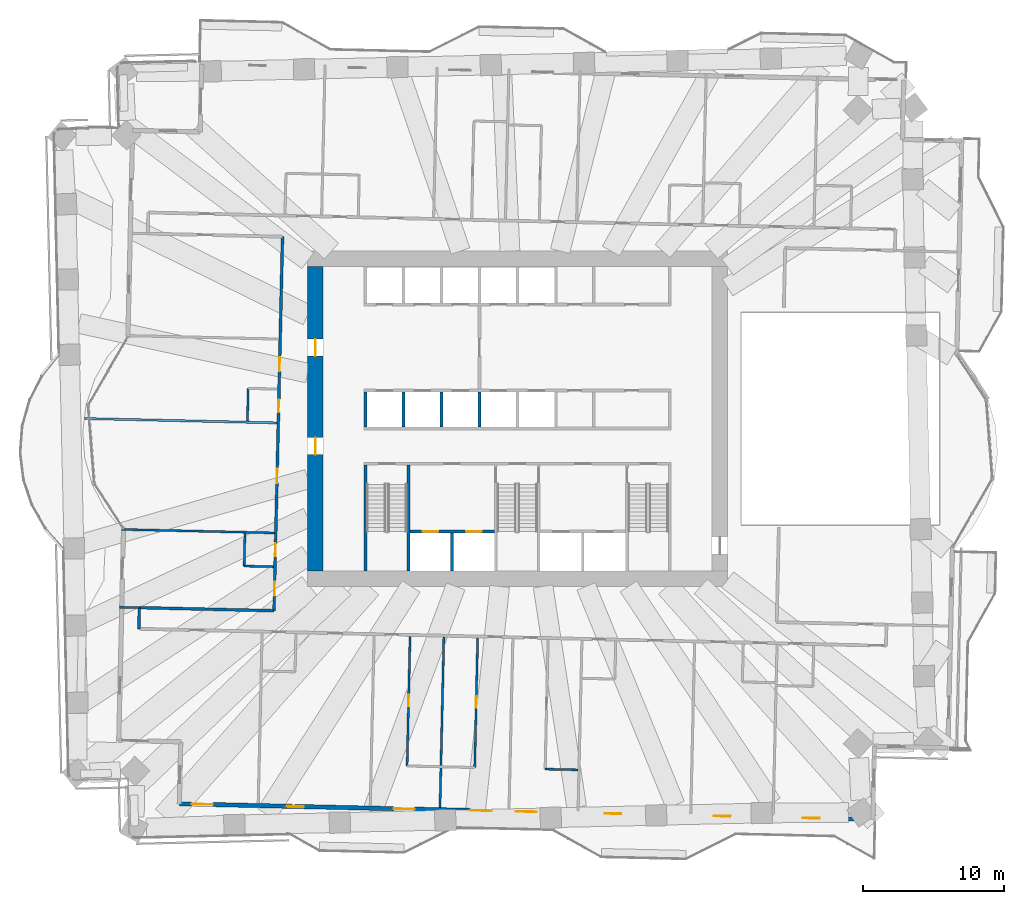
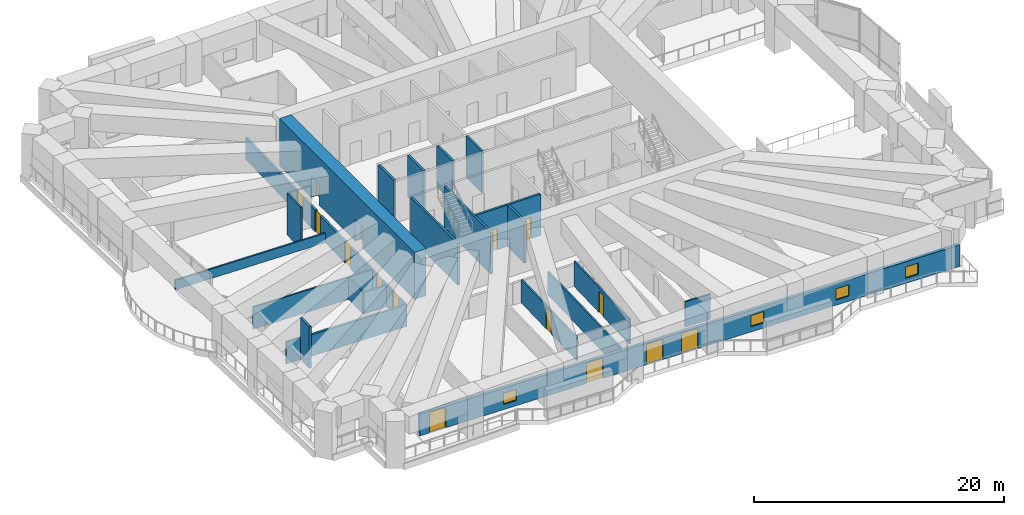
# One storey, part 9 of 20: 23 walls, 15 doors, 4 windows, 19 openings.
"""IFC4 building model written with IfcOpenShell, lengths in metres."""

from ifc_helpers import new_model, si_unit, direction, frame, frame_2d, origin, place, context, subcontext, project, spatial, rectangle, extrude, material, layer, layer_set, type_object, element, fill, save


model = new_model("IFC4")

# Units and contexts
model_context = context("Model", 3, precision=1e-05, world=origin(), true_north=direction((0.0, 1.0)))
body_context = subcontext(model_context, "Body", "Model", "MODEL_VIEW")
ifc_project = project(units=[si_unit("LENGTHUNIT", "METRE"), si_unit("AREAUNIT", "SQUARE_METRE"), si_unit("VOLUMEUNIT", "CUBIC_METRE"), si_unit("PLANEANGLEUNIT", "RADIAN"), si_unit("MASSUNIT", "GRAM", prefix="KILO")], contexts=[model_context])

# Site, building, storey
site_placement = place(None, origin())
site = spatial("IfcSite", under=ifc_project, at=site_placement, CompositionType="ELEMENT")
building_placement = place(site_placement, origin())
building = spatial("IfcBuilding", under=site, at=building_placement, Name="Mangrove Gate Tower", CompositionType="ELEMENT")
storey_placement = place(building_placement, frame((0.0, 0.0, 52.10009765625)))
storey = spatial("IfcBuildingStorey", under=building, at=storey_placement, Name="L12", CompositionType="ELEMENT", Elevation=52.10009765625)

# Wall, openings, doors
ifc_material_1 = material(Name="Concrete C70/85", Category="concrete")
ifc_layer_1 = layer(ifc_material_1, 0.199951171875)
ifc_layer_set_1 = layer_set([ifc_layer_1], Name="Core shaft wall 200 C70/85")
wall_type_1 = type_object("IfcWallType", Name="Core shaft wall 200 C70/85", PredefinedType="SHEAR", material=ifc_layer_set_1)
wall_1_placement = place(storey_placement, frame((-7.64990234375, -8.0, 0.0), z_axis=(0.0, 0.0, 1.0), x_axis=(1.0, 0.0, 0.0)))
wall_1 = element("IfcWall", 1, at=wall_1_placement, inside=storey, type_object=wall_type_1, Name="WALL-L12-CORE-15", PredefinedType="SHEAR", context=body_context, shape_type="SweptSolid", body=[
    extrude(rectangle(XDim=6.0, YDim=0.199951171875, at=frame_2d((3.0, 0.0))), origin(), (0.0, 0.0, 1.0), 4.0498046875),
])
opening_1_placement = place(wall_1_placement, frame((0.89990234375, 0.0, 0.0)))
opening_1 = element("IfcOpeningElement", 2, at=opening_1_placement, cuts=wall_1, Name="Opening LD", PredefinedType="OPENING", context=body_context, shape_type="SweptSolid", body=[
    extrude(rectangle(XDim=1.10009765625, YDim=2.10009765625, at=frame_2d((0.550048828125, 1.050048828125))), frame((0.0, 0.10986328125, 0.0), z_axis=(0.0, -1.0, 0.0), x_axis=(1.0, 0.0, 0.0)), (0.0, 0.0, 1.0), 0.219970703125),
])
opening_2_placement = place(wall_1_placement, frame((4.0, 0.0, 0.0)))
opening_2 = element("IfcOpeningElement", 3, at=opening_2_placement, cuts=wall_1, Name="Opening LD", PredefinedType="OPENING", context=body_context, shape_type="SweptSolid", body=[
    extrude(rectangle(XDim=1.10009765625, YDim=2.10009765625, at=frame_2d((0.550048828125, 1.050048828125))), frame((0.0, 0.10986328125, 0.0), z_axis=(0.0, -1.0, 0.0), x_axis=(1.0, 0.0, 0.0)), (0.0, 0.0, 1.0), 0.219970703125),
])
ifc_material_2 = material(Name="Stainless steel 316", Category="steel")
door_type_1 = type_object("IfcDoorType", Name="Lift landing door 1100x2100", OperationType="SLIDING_TO_LEFT", PredefinedType="DOOR", material=ifc_material_2)
door_1_placement = place(opening_1_placement, origin())
door_1 = element("IfcDoor", 4, at=door_1_placement, inside=storey, type_object=door_type_1, Name="Landing door LD SVL1", OperationType="SLIDING_TO_LEFT", OverallHeight=2.10009765625, OverallWidth=1.10009765625, PredefinedType="DOOR", context=body_context, shape_type="SweptSolid", body=[
    extrude(rectangle(XDim=1.10009765625, YDim=2.10009765625, at=frame_2d((0.550048828125, 1.050048828125))), frame((0.0, 0.02490234375, 0.0), z_axis=(0.0, -1.0, 0.0), x_axis=(1.0, 0.0, 0.0)), (0.0, 0.0, 1.0), 0.050048828125),
])
fill(opening_1, door_1)
door_2_placement = place(opening_2_placement, origin())
door_2 = element("IfcDoor", 5, at=door_2_placement, inside=storey, type_object=door_type_1, Name="Landing door LD SVL2", OperationType="SLIDING_TO_LEFT", OverallHeight=2.10009765625, OverallWidth=1.10009765625, PredefinedType="DOOR", context=body_context, shape_type="SweptSolid", body=[
    extrude(rectangle(XDim=1.10009765625, YDim=2.10009765625, at=frame_2d((0.550048828125, 1.050048828125))), frame((0.0, 0.02490234375, 0.0), z_axis=(0.0, -1.0, 0.0), x_axis=(1.0, 0.0, 0.0)), (0.0, 0.0, 1.0), 0.050048828125),
])
fill(opening_2, door_2)

# Walls
wall_2_placement = place(storey_placement, frame((-4.64990234375, -10.800048828125, 0.0), z_axis=(0.0, 0.0, 1.0), x_axis=(0.0, 1.0, 0.0)))
element("IfcWall", 6, at=wall_2_placement, inside=storey, type_object=wall_type_1, Name="WALL-L12-CORE-16", PredefinedType="SHEAR", context=body_context, shape_type="SweptSolid", body=[
    extrude(rectangle(XDim=2.699951171875, YDim=0.199951171875, at=frame_2d((1.35009765625, 0.0))), origin(), (0.0, 0.0, 1.0), 4.0498046875),
])
for number, where, z_axis, x_axis, name in (
    (7, (-10.800048828125, -0.60009765625, 0.0), (0.0, 0.0, 1.0), (0.0, 1.0, 0.0), "WALL-L12-CORE-19"),
    (8, (-8.10009765625, -0.60009765625, 0.0), (0.0, 0.0, 1.0), (0.0, 1.0, 0.0), "WALL-L12-CORE-20"),
    (9, (-5.39990234375, -0.60009765625, 0.0), (0.0, 0.0, 1.0), (0.0, 1.0, 0.0), "WALL-L12-CORE-21"),
    (10, (-2.699951171875, -0.60009765625, 0.0), (0.0, 0.0, 1.0), (0.0, 1.0, 0.0), "WALL-L12-CORE-22"),
):
    element("IfcWall", number, at=place(storey_placement, frame(where, z_axis=z_axis, x_axis=x_axis)), inside=storey, type_object=wall_type_1, Name=name, PredefinedType="SHEAR", context=body_context, shape_type="SweptSolid", body=[
        extrude(rectangle(XDim=2.5, YDim=0.199951171875, at=frame_2d((1.25, 0.0))), origin(), (0.0, 0.0, 1.0), 4.0498046875),
    ])
ifc_material_3 = material(Name="Concrete C70/85", Category="concrete")
ifc_layer_2 = layer(ifc_material_3, 0.199951171875)
ifc_layer_set_2 = layer_set([ifc_layer_2], Name="Core stair wall 200 C70/85")
wall_type_2 = type_object("IfcWallType", Name="Core stair wall 200 C70/85", PredefinedType="SHEAR", material=ifc_layer_set_2)
for number, where, z_axis, x_axis, name in (
    (11, (-10.800048828125, -10.800048828125, 0.0), (0.0, 0.0, 1.0), (0.0, 1.0, 0.0), "WALL-L12-CORE-9"),
    (12, (-7.75, -10.800048828125, 0.0), (0.0, 0.0, 1.0), (0.0, 1.0, 0.0), "WALL-L12-CORE-10"),
):
    element("IfcWall", number, at=place(storey_placement, frame(where, z_axis=z_axis, x_axis=x_axis)), inside=storey, type_object=wall_type_2, Name=name, PredefinedType="SHEAR", context=body_context, shape_type="SweptSolid", body=[
        extrude(rectangle(XDim=7.5, YDim=0.199951171875, at=frame_2d((3.75, 0.0))), origin(), (0.0, 0.0, 1.0), 4.0498046875),
    ])

# Wall, openings, doors
ifc_material_4 = material(Name="Concrete C70/85", Category="concrete")
ifc_layer_3 = layer(ifc_material_4, 1.10009765625)
ifc_layer_set_3 = layer_set([ifc_layer_3], Name="Core wall 1100 C70/85")
wall_type_3 = type_object("IfcWallType", Name="Core wall 1100 C70/85", PredefinedType="SHEAR", material=ifc_layer_set_3)
wall_3_placement = place(storey_placement, frame((-14.35009765625, -10.800048828125, 0.0), z_axis=(0.0, 0.0, 1.0), x_axis=(0.0, 1.0, 0.0)))
wall_3 = element("IfcWall", 13, at=wall_3_placement, inside=storey, type_object=wall_type_3, Name="WALL-L12-CORE-3", PredefinedType="SHEAR", context=body_context, shape_type="SweptSolid", body=[
    extrude(rectangle(XDim=21.60009765625, YDim=1.10009765625, at=frame_2d((10.800048828125, 0.0))), origin(), (0.0, 0.0, 1.0), 4.599853515625),
])
opening_3_placement = place(wall_3_placement, frame((8.25, 0.0, 0.0)))
opening_3 = element("IfcOpeningElement", 14, at=opening_3_placement, cuts=wall_3, Name="Opening CD", PredefinedType="OPENING", context=body_context, shape_type="SweptSolid", body=[
    extrude(rectangle(XDim=1.199951171875, YDim=2.10009765625, at=frame_2d((0.60009765625, 1.050048828125))), frame((0.0, 0.56005859375, 0.0), z_axis=(0.0, -1.0, 0.0), x_axis=(1.0, 0.0, 0.0)), (0.0, 0.0, 1.0), 1.1201171875),
])
opening_4_placement = place(wall_3_placement, frame((15.25, 0.0, 0.0)))
opening_4 = element("IfcOpeningElement", 15, at=opening_4_placement, cuts=wall_3, Name="Opening CD", PredefinedType="OPENING", context=body_context, shape_type="SweptSolid", body=[
    extrude(rectangle(XDim=1.199951171875, YDim=2.10009765625, at=frame_2d((0.60009765625, 1.050048828125))), frame((0.0, 0.56005859375, 0.0), z_axis=(0.0, -1.0, 0.0), x_axis=(1.0, 0.0, 0.0)), (0.0, 0.0, 1.0), 1.1201171875),
])
ifc_material_5 = material(Name="Fire-rated steel door set", Category="steel")
door_type_2 = type_object("IfcDoorType", Name="Core ring door FD60 1200x2100", OperationType="DOUBLE_DOOR_SINGLE_SWING", PredefinedType="DOOR", material=ifc_material_5)
door_3_placement = place(opening_3_placement, origin())
door_3 = element("IfcDoor", 16, at=door_3_placement, inside=storey, type_object=door_type_2, Name="Core ring door W1", OperationType="DOUBLE_DOOR_SINGLE_SWING", OverallHeight=2.10009765625, OverallWidth=1.199951171875, PredefinedType="DOOR", context=body_context, shape_type="SweptSolid", body=[
    extrude(rectangle(XDim=1.199951171875, YDim=2.10009765625, at=frame_2d((0.60009765625, 1.050048828125))), frame((0.0, 0.02490234375, 0.0), z_axis=(0.0, -1.0, 0.0), x_axis=(1.0, 0.0, 0.0)), (0.0, 0.0, 1.0), 0.050048828125),
])
fill(opening_3, door_3)
door_4_placement = place(opening_4_placement, origin())
door_4 = element("IfcDoor", 17, at=door_4_placement, inside=storey, type_object=door_type_2, Name="Core ring door W2", OperationType="DOUBLE_DOOR_SINGLE_SWING", OverallHeight=2.10009765625, OverallWidth=1.199951171875, PredefinedType="DOOR", context=body_context, shape_type="SweptSolid", body=[
    extrude(rectangle(XDim=1.199951171875, YDim=2.10009765625, at=frame_2d((0.60009765625, 1.050048828125))), frame((0.0, 0.02490234375, 0.0), z_axis=(0.0, -1.0, 0.0), x_axis=(1.0, 0.0, 0.0)), (0.0, 0.0, 1.0), 0.050048828125),
])
fill(opening_4, door_4)

# Walls
ifc_material_6 = material(Name="Gypsum board on steel stud, EI 60", Category="steel")
ifc_layer_4 = layer(ifc_material_6, 0.199951171875)
ifc_layer_set_4 = layer_set([ifc_layer_4], Name="Corridor wall EI 60")
wall_type_4 = type_object("IfcWallType", Name="Corridor wall EI 60", PredefinedType="PARTITIONING", material=ifc_layer_set_4)
wall_4_placement = place(storey_placement, frame((-26.8779296875, -14.906982421875, 0.0), z_axis=(0.0, 0.0, 1.0), x_axis=(0.022632637625, 0.99974384905, 0.0)))
element("IfcWall", 18, at=wall_4_placement, inside=storey, type_object=wall_type_4, Name="WALL-L12-021", PredefinedType="PARTITIONING", context=body_context, shape_type="SweptSolid", body=[
    extrude(rectangle(XDim=1.49951171875, YDim=0.199951171875, at=frame_2d((0.749755859375, 0.0))), origin(), (0.0, 0.0, 1.0), 4.0498046875),
])
wall_5_placement = place(storey_placement, frame((-26.842041015625, -13.407958984375, 0.0), z_axis=(0.0, 0.0, 1.0), x_axis=(0.999742388837, -0.022697047441, 0.0)))
element("IfcWall", 19, at=wall_5_placement, inside=storey, type_object=wall_type_4, Name="WALL-L12-025", PredefinedType="PARTITIONING", context=body_context, shape_type="SweptSolid", body=[
    extrude(rectangle(XDim=9.5625, YDim=0.199951171875, at=frame_2d((4.78125, 0.0))), origin(), (0.0, 0.0, 1.0), 2.099853515625),
])

# Wall, openings, doors
wall_6_placement = place(storey_placement, frame((-17.287109375, -13.625, 0.0), z_axis=(0.0, 0.0, 1.0), x_axis=(0.022712214871, 0.999742044377, 0.0)))
wall_6 = element("IfcWall", 20, at=wall_6_placement, inside=storey, type_object=wall_type_4, Name="WALL-L12-026", PredefinedType="PARTITIONING", context=body_context, shape_type="SweptSolid", body=[
    extrude(rectangle(XDim=26.55078125, YDim=0.199951171875, at=frame_2d((13.275390625, 0.0))), origin(), (0.0, 0.0, 1.0), 2.099853515625),
])
opening_5_placement = place(wall_6_placement, frame((17.0, 0.0, 0.0)))
opening_5 = element("IfcOpeningElement", 21, at=opening_5_placement, cuts=wall_6, Name="Opening AD", PredefinedType="OPENING", context=body_context, shape_type="SweptSolid", body=[
    extrude(rectangle(XDim=1.0, YDim=2.10009765625, at=frame_2d((0.5, 1.050048828125))), frame((0.0, 0.10986328125, 0.0), z_axis=(0.0, -1.0, 0.0), x_axis=(1.0, 0.0, 0.0)), (0.0, 0.0, 1.0), 0.219970703125),
])
opening_6_placement = place(wall_6_placement, frame((14.074951171875, 0.0, 0.0)))
opening_6 = element("IfcOpeningElement", 22, at=opening_6_placement, cuts=wall_6, Name="Opening SD", PredefinedType="OPENING", context=body_context, shape_type="SweptSolid", body=[
    extrude(rectangle(XDim=0.89990234375, YDim=2.10009765625, at=frame_2d((0.449951171875, 1.050048828125))), frame((0.0, 0.10986328125, 0.0), z_axis=(0.0, -1.0, 0.0), x_axis=(1.0, 0.0, 0.0)), (0.0, 0.0, 1.0), 0.219970703125),
])
opening_7_placement = place(wall_6_placement, frame((9.06103515625, 0.0, 0.0)))
opening_7 = element("IfcOpeningElement", 23, at=opening_7_placement, cuts=wall_6, Name="Opening AD", PredefinedType="OPENING", context=body_context, shape_type="SweptSolid", body=[
    extrude(rectangle(XDim=1.0, YDim=2.10009765625, at=frame_2d((0.5, 1.050048828125))), frame((0.0, 0.10986328125, 0.0), z_axis=(0.0, -1.0, 0.0), x_axis=(1.0, 0.0, 0.0)), (0.0, 0.0, 1.0), 0.219970703125),
])
opening_8_placement = place(wall_6_placement, frame((1.06201171875, 0.0, 0.0)))
opening_8 = element("IfcOpeningElement", 24, at=opening_8_placement, cuts=wall_6, Name="Opening AD", PredefinedType="OPENING", context=body_context, shape_type="SweptSolid", body=[
    extrude(rectangle(XDim=1.0, YDim=2.10009765625, at=frame_2d((0.5, 1.050048828125))), frame((0.0, 0.10986328125, 0.0), z_axis=(0.0, -1.0, 0.0), x_axis=(1.0, 0.0, 0.0)), (0.0, 0.0, 1.0), 0.219970703125),
])
opening_9_placement = place(wall_6_placement, frame((3.875, 0.0, 0.0)))
opening_9 = element("IfcOpeningElement", 25, at=opening_9_placement, cuts=wall_6, Name="Opening SD", PredefinedType="OPENING", context=body_context, shape_type="SweptSolid", body=[
    extrude(rectangle(XDim=0.89990234375, YDim=2.10009765625, at=frame_2d((0.449951171875, 1.050048828125))), frame((0.0, 0.10986328125, 0.0), z_axis=(0.0, -1.0, 0.0), x_axis=(1.0, 0.0, 0.0)), (0.0, 0.0, 1.0), 0.219970703125),
])
ifc_material_7 = material(Name="Timber door leaf", Category="wood")
door_type_3 = type_object("IfcDoorType", Name="Amenity door 1000", OperationType="SINGLE_SWING_LEFT", PredefinedType="DOOR", material=ifc_material_7)
door_5_placement = place(opening_5_placement, origin())
door_5 = element("IfcDoor", 26, at=door_5_placement, inside=storey, type_object=door_type_3, Name="DOOR-L12-KIT-c5a", OperationType="SINGLE_SWING_RIGHT", OverallHeight=2.10009765625, OverallWidth=1.0, PredefinedType="DOOR", context=body_context, shape_type="SweptSolid", body=[
    extrude(rectangle(XDim=1.0, YDim=2.10009765625, at=frame_2d((0.5, 1.050048828125))), frame((0.0, 0.02490234375, 0.0), z_axis=(0.0, -1.0, 0.0), x_axis=(1.0, 0.0, 0.0)), (0.0, 0.0, 1.0), 0.050048828125),
])
fill(opening_5, door_5)
door_6_placement = place(opening_7_placement, origin())
door_6 = element("IfcDoor", 27, at=door_6_placement, inside=storey, type_object=door_type_3, Name="DOOR-L12-LNG-c5b", OperationType="SINGLE_SWING_LEFT", OverallHeight=2.10009765625, OverallWidth=1.0, PredefinedType="DOOR", context=body_context, shape_type="SweptSolid", body=[
    extrude(rectangle(XDim=1.0, YDim=2.10009765625, at=frame_2d((0.5, 1.050048828125))), frame((0.0, 0.02490234375, 0.0), z_axis=(0.0, -1.0, 0.0), x_axis=(1.0, 0.0, 0.0)), (0.0, 0.0, 1.0), 0.050048828125),
])
fill(opening_7, door_6)
door_7_placement = place(opening_8_placement, origin())
door_7 = element("IfcDoor", 28, at=door_7_placement, inside=storey, type_object=door_type_3, Name="DOOR-L12-LNG-c5c", OperationType="SINGLE_SWING_RIGHT", OverallHeight=2.10009765625, OverallWidth=1.0, PredefinedType="DOOR", context=body_context, shape_type="SweptSolid", body=[
    extrude(rectangle(XDim=1.0, YDim=2.10009765625, at=frame_2d((0.5, 1.050048828125))), frame((0.0, 0.02490234375, 0.0), z_axis=(0.0, -1.0, 0.0), x_axis=(1.0, 0.0, 0.0)), (0.0, 0.0, 1.0), 0.050048828125),
])
fill(opening_8, door_7)
ifc_material_8 = material(Name="Timber door leaf", Category="wood")
door_type_4 = type_object("IfcDoorType", Name="Service room door 900", OperationType="SINGLE_SWING_LEFT", PredefinedType="DOOR", material=ifc_material_8)
door_8_placement = place(opening_6_placement, origin())
door_8 = element("IfcDoor", 29, at=door_8_placement, inside=storey, type_object=door_type_4, Name="DOOR-L12-LIN-c5a", OperationType="SINGLE_SWING_RIGHT", OverallHeight=2.10009765625, OverallWidth=0.89990234375, PredefinedType="DOOR", context=body_context, shape_type="SweptSolid", body=[
    extrude(rectangle(XDim=0.89990234375, YDim=2.10009765625, at=frame_2d((0.449951171875, 1.050048828125))), frame((0.0, 0.02490234375, 0.0), z_axis=(0.0, -1.0, 0.0), x_axis=(1.0, 0.0, 0.0)), (0.0, 0.0, 1.0), 0.050048828125),
])
fill(opening_6, door_8)
door_9_placement = place(opening_9_placement, origin())
door_9 = element("IfcDoor", 30, at=door_9_placement, inside=storey, type_object=door_type_4, Name="DOOR-L12-LIN-c5b", OperationType="SINGLE_SWING_LEFT", OverallHeight=2.10009765625, OverallWidth=0.89990234375, PredefinedType="DOOR", context=body_context, shape_type="SweptSolid", body=[
    extrude(rectangle(XDim=0.89990234375, YDim=2.10009765625, at=frame_2d((0.449951171875, 1.050048828125))), frame((0.0, 0.02490234375, 0.0), z_axis=(0.0, -1.0, 0.0), x_axis=(1.0, 0.0, 0.0)), (0.0, 0.0, 1.0), 0.050048828125),
])
fill(opening_9, door_9)

# Wall, openings, doors, windows
ifc_material_9 = material(Name="Limestone", Category="masonry")
ifc_layer_5 = layer(ifc_material_9, 0.0400390625, Name="Limestone cladding")
ifc_material_10 = material(Name="Ventilated air gap")
ifc_layer_6 = layer(ifc_material_10, 0.0400390625, Name="Ventilated cavity")
ifc_material_11 = material(Name="Mineral wool insulation")
ifc_layer_7 = layer(ifc_material_11, 0.06005859375, Name="Insulation")
ifc_material_12 = material(Name="Breather membrane")
ifc_layer_8 = layer(ifc_material_12, 0.001953125, Name="Breather membrane")
ifc_material_13 = material(Name="Concrete C20/25 blockwork", Category="masonry")
ifc_layer_9 = layer(ifc_material_13, 0.14990234375, Name="Blockwork backing wall")
ifc_material_14 = material(Name="Gypsum plaster")
ifc_layer_10 = layer(ifc_material_14, 0.008056640625, Name="Internal plaster")
ifc_layer_set_5 = layer_set([ifc_layer_5, ifc_layer_6, ifc_layer_7, ifc_layer_8, ifc_layer_9, ifc_layer_10], Name="External wall 300 limestone cladding")
wall_type_5 = type_object("IfcWallType", Name="External wall 300 limestone cladding", PredefinedType="SOLIDWALL", material=ifc_layer_set_5)
wall_7_placement = place(storey_placement, frame((-24.007080078125, -27.325927734375, 0.0), z_axis=(0.0, 0.0, 1.0), x_axis=(0.999742536491, -0.022690542744, 0.0)))
wall_7 = element("IfcWall", 31, at=wall_7_placement, inside=storey, type_object=wall_type_5, Name="WALL-L12-S13", PredefinedType="SOLIDWALL", context=body_context, shape_type="SweptSolid", body=[
    extrude(rectangle(XDim=49.23583984375, YDim=0.300048828125, at=frame_2d((24.617919921875, 0.0))), origin(), (0.0, 0.0, 1.0), 2.099853515625),
])
opening_10_placement = place(wall_7_placement, frame((0.8779296875, 0.0, 0.0)))
opening_10 = element("IfcOpeningElement", 32, at=opening_10_placement, cuts=wall_7, Name="Opening BD3", PredefinedType="OPENING", context=body_context, shape_type="SweptSolid", body=[
    extrude(rectangle(XDim=1.5, YDim=2.0, at=frame_2d((0.75, 1.0))), frame((0.0, 0.159912109375, 0.0), z_axis=(0.0, -1.0, 0.0), x_axis=(1.0, 0.0, 0.0)), (0.0, 0.0, 1.0), 0.320068359375),
])
opening_11_placement = place(wall_7_placement, frame((7.615966796875, 0.0, 0.5)))
opening_11 = element("IfcOpeningElement", 33, at=opening_11_placement, cuts=wall_7, Name="Opening W6", PredefinedType="OPENING", context=body_context, shape_type="SweptSolid", body=[
    extrude(rectangle(XDim=1.199951171875, YDim=1.10009765625, at=frame_2d((0.60009765625, 0.550048828125))), frame((0.0, 0.159912109375, 0.0), z_axis=(0.0, -1.0, 0.0), x_axis=(1.0, 0.0, 0.0)), (0.0, 0.0, 1.0), 0.320068359375),
])
opening_12_placement = place(wall_7_placement, frame((15.205078125, 0.0, 0.0)))
opening_12 = element("IfcOpeningElement", 34, at=opening_12_placement, cuts=wall_7, Name="Opening BD3", PredefinedType="OPENING", context=body_context, shape_type="SweptSolid", body=[
    extrude(rectangle(XDim=1.5, YDim=2.0, at=frame_2d((0.75, 1.0))), frame((0.0, 0.159912109375, 0.0), z_axis=(0.0, -1.0, 0.0), x_axis=(1.0, 0.0, 0.0)), (0.0, 0.0, 1.0), 0.320068359375),
])
opening_13_placement = place(wall_7_placement, frame((20.6630859375, 0.0, 0.0)))
opening_13 = element("IfcOpeningElement", 35, at=opening_13_placement, cuts=wall_7, Name="Opening BD3", PredefinedType="OPENING", context=body_context, shape_type="SweptSolid", body=[
    extrude(rectangle(XDim=1.5, YDim=2.0, at=frame_2d((0.75, 1.0))), frame((0.0, 0.159912109375, 0.0), z_axis=(0.0, -1.0, 0.0), x_axis=(1.0, 0.0, 0.0)), (0.0, 0.0, 1.0), 0.320068359375),
])
opening_14_placement = place(wall_7_placement, frame((23.868896484375, 0.0, 0.0)))
opening_14 = element("IfcOpeningElement", 36, at=opening_14_placement, cuts=wall_7, Name="Opening BD3", PredefinedType="OPENING", context=body_context, shape_type="SweptSolid", body=[
    extrude(rectangle(XDim=1.5, YDim=2.0, at=frame_2d((0.75, 1.0))), frame((0.0, 0.159912109375, 0.0), z_axis=(0.0, -1.0, 0.0), x_axis=(1.0, 0.0, 0.0)), (0.0, 0.0, 1.0), 0.320068359375),
])
opening_15_placement = place(wall_7_placement, frame((30.18310546875, 0.0, 0.5)))
opening_15 = element("IfcOpeningElement", 37, at=opening_15_placement, cuts=wall_7, Name="Opening W6", PredefinedType="OPENING", context=body_context, shape_type="SweptSolid", body=[
    extrude(rectangle(XDim=1.199951171875, YDim=1.10009765625, at=frame_2d((0.60009765625, 0.550048828125))), frame((0.0, 0.159912109375, 0.0), z_axis=(0.0, -1.0, 0.0), x_axis=(1.0, 0.0, 0.0)), (0.0, 0.0, 1.0), 0.320068359375),
])
opening_16_placement = place(wall_7_placement, frame((37.922119140625, 0.0, 0.5)))
opening_16 = element("IfcOpeningElement", 38, at=opening_16_placement, cuts=wall_7, Name="Opening W6", PredefinedType="OPENING", context=body_context, shape_type="SweptSolid", body=[
    extrude(rectangle(XDim=1.199951171875, YDim=1.10009765625, at=frame_2d((0.60009765625, 0.550048828125))), frame((0.0, 0.159912109375, 0.0), z_axis=(0.0, -1.0, 0.0), x_axis=(1.0, 0.0, 0.0)), (0.0, 0.0, 1.0), 0.320068359375),
])
opening_17_placement = place(wall_7_placement, frame((44.248046875, 0.0, 0.5)))
opening_17 = element("IfcOpeningElement", 39, at=opening_17_placement, cuts=wall_7, Name="Opening W6", PredefinedType="OPENING", context=body_context, shape_type="SweptSolid", body=[
    extrude(rectangle(XDim=1.199951171875, YDim=1.10009765625, at=frame_2d((0.60009765625, 0.550048828125))), frame((0.0, 0.159912109375, 0.0), z_axis=(0.0, -1.0, 0.0), x_axis=(1.0, 0.0, 0.0)), (0.0, 0.0, 1.0), 0.320068359375),
])
ifc_material_15 = material(Name="Aluminium frame with laminated clear glass", Category="aluminium")
door_type_5 = type_object("IfcDoorType", Name="Balcony sliding door 1500x2000", OperationType="SLIDING_TO_LEFT", PredefinedType="DOOR", material=ifc_material_15)
door_10_placement = place(opening_10_placement, origin())
door_10 = element("IfcDoor", 40, at=door_10_placement, inside=storey, type_object=door_type_5, Name="DOOR-L12-S13-1", OperationType="SLIDING_TO_LEFT", OverallHeight=2.0, OverallWidth=1.5, PredefinedType="DOOR", context=body_context, shape_type="SweptSolid", body=[
    extrude(rectangle(XDim=1.5, YDim=2.0, at=frame_2d((0.75, 1.0))), frame((0.0, 0.02490234375, 0.0), z_axis=(0.0, -1.0, 0.0), x_axis=(1.0, 0.0, 0.0)), (0.0, 0.0, 1.0), 0.050048828125),
])
fill(opening_10, door_10)
door_11_placement = place(opening_12_placement, origin())
door_11 = element("IfcDoor", 41, at=door_11_placement, inside=storey, type_object=door_type_5, Name="DOOR-L12-S13-3", OperationType="SLIDING_TO_LEFT", OverallHeight=2.0, OverallWidth=1.5, PredefinedType="DOOR", context=body_context, shape_type="SweptSolid", body=[
    extrude(rectangle(XDim=1.5, YDim=2.0, at=frame_2d((0.75, 1.0))), frame((0.0, 0.02490234375, 0.0), z_axis=(0.0, -1.0, 0.0), x_axis=(1.0, 0.0, 0.0)), (0.0, 0.0, 1.0), 0.050048828125),
])
fill(opening_12, door_11)
door_12_placement = place(opening_13_placement, origin())
door_12 = element("IfcDoor", 42, at=door_12_placement, inside=storey, type_object=door_type_5, Name="DOOR-L12-S13-4", OperationType="SLIDING_TO_LEFT", OverallHeight=2.0, OverallWidth=1.5, PredefinedType="DOOR", context=body_context, shape_type="SweptSolid", body=[
    extrude(rectangle(XDim=1.5, YDim=2.0, at=frame_2d((0.75, 1.0))), frame((0.0, 0.02490234375, 0.0), z_axis=(0.0, -1.0, 0.0), x_axis=(1.0, 0.0, 0.0)), (0.0, 0.0, 1.0), 0.050048828125),
])
fill(opening_13, door_12)
door_13_placement = place(opening_14_placement, origin())
door_13 = element("IfcDoor", 43, at=door_13_placement, inside=storey, type_object=door_type_5, Name="DOOR-L12-S13-5", OperationType="SLIDING_TO_LEFT", OverallHeight=2.0, OverallWidth=1.5, PredefinedType="DOOR", context=body_context, shape_type="SweptSolid", body=[
    extrude(rectangle(XDim=1.5, YDim=2.0, at=frame_2d((0.75, 1.0))), frame((0.0, 0.02490234375, 0.0), z_axis=(0.0, -1.0, 0.0), x_axis=(1.0, 0.0, 0.0)), (0.0, 0.0, 1.0), 0.050048828125),
])
fill(opening_14, door_13)
ifc_material_16 = material(Name="Aluminium frame with double-glazed low-e glass", Category="aluminium")
window_type = type_object("IfcWindowType", Name="Low window 1200x1100", PartitioningType="SINGLE_PANEL", PredefinedType="WINDOW", material=ifc_material_16)
window_1_placement = place(opening_11_placement, origin())
window_1 = element("IfcWindow", 44, at=window_1_placement, inside=storey, type_object=window_type, Name="WIN-L12-S13-2", OverallHeight=1.10009765625, OverallWidth=1.199951171875, PartitioningType="SINGLE_PANEL", PredefinedType="WINDOW", context=body_context, shape_type="SweptSolid", body=[
    extrude(rectangle(XDim=1.199951171875, YDim=1.10009765625, at=frame_2d((0.60009765625, 0.550048828125))), frame((0.0, 0.030029296875, 0.0), z_axis=(0.0, -1.0, 0.0), x_axis=(1.0, 0.0, 0.0)), (0.0, 0.0, 1.0), 0.06005859375),
])
fill(opening_11, window_1)
window_2_placement = place(opening_15_placement, origin())
window_2 = element("IfcWindow", 45, at=window_2_placement, inside=storey, type_object=window_type, Name="WIN-L12-S13-6", OverallHeight=1.10009765625, OverallWidth=1.199951171875, PartitioningType="SINGLE_PANEL", PredefinedType="WINDOW", context=body_context, shape_type="SweptSolid", body=[
    extrude(rectangle(XDim=1.199951171875, YDim=1.10009765625, at=frame_2d((0.60009765625, 0.550048828125))), frame((0.0, 0.030029296875, 0.0), z_axis=(0.0, -1.0, 0.0), x_axis=(1.0, 0.0, 0.0)), (0.0, 0.0, 1.0), 0.06005859375),
])
fill(opening_15, window_2)
window_3_placement = place(opening_16_placement, origin())
window_3 = element("IfcWindow", 46, at=window_3_placement, inside=storey, type_object=window_type, Name="WIN-L12-S13-7", OverallHeight=1.10009765625, OverallWidth=1.199951171875, PartitioningType="SINGLE_PANEL", PredefinedType="WINDOW", context=body_context, shape_type="SweptSolid", body=[
    extrude(rectangle(XDim=1.199951171875, YDim=1.10009765625, at=frame_2d((0.60009765625, 0.550048828125))), frame((0.0, 0.030029296875, 0.0), z_axis=(0.0, -1.0, 0.0), x_axis=(1.0, 0.0, 0.0)), (0.0, 0.0, 1.0), 0.06005859375),
])
fill(opening_16, window_3)
window_4_placement = place(opening_17_placement, origin())
window_4 = element("IfcWindow", 47, at=window_4_placement, inside=storey, type_object=window_type, Name="WIN-L12-S13-8", OverallHeight=1.10009765625, OverallWidth=1.199951171875, PartitioningType="SINGLE_PANEL", PredefinedType="WINDOW", context=body_context, shape_type="SweptSolid", body=[
    extrude(rectangle(XDim=1.199951171875, YDim=1.10009765625, at=frame_2d((0.60009765625, 0.550048828125))), frame((0.0, 0.030029296875, 0.0), z_axis=(0.0, -1.0, 0.0), x_axis=(1.0, 0.0, 0.0)), (0.0, 0.0, 1.0), 0.06005859375),
])
fill(opening_17, window_4)

# Wall
ifc_material_17 = material(Name="Gypsum board on steel stud, EI 60", Category="steel")
ifc_layer_11 = layer(ifc_material_17, 0.14990234375)
ifc_layer_set_6 = layer_set([ifc_layer_11], Name="Party wall 150 EI 60")
wall_type_6 = type_object("IfcWallType", Name="Party wall 150 EI 60", PredefinedType="PARTITIONING", material=ifc_layer_set_6)
wall_8_placement = place(storey_placement, frame((-5.510009765625, -27.595947265625, 0.0), z_axis=(0.0, 0.0, 1.0), x_axis=(0.022636621344, 0.999743758857, 0.0)))
element("IfcWall", 48, at=wall_8_placement, inside=storey, type_object=wall_type_6, Name="WALL-L12-003", PredefinedType="PARTITIONING", context=body_context, shape_type="SweptSolid", body=[
    extrude(rectangle(XDim=12.10107421875, YDim=0.14990234375, at=frame_2d((6.050537109375, 0.0))), origin(), (0.0, 0.0, 1.0), 2.25),
])

# Wall, opening, door
wall_9_placement = place(storey_placement, frame((-7.843994140625, -24.64208984375, 0.0), z_axis=(0.0, 0.0, 1.0), x_axis=(0.02271477479, 0.999741986218, 0.0)))
wall_9 = element("IfcWall", 49, at=wall_9_placement, inside=storey, type_object=wall_type_6, Name="WALL-L12-008", PredefinedType="PARTITIONING", context=body_context, shape_type="SweptSolid", body=[
    extrude(rectangle(XDim=9.200439453125, YDim=0.14990234375, at=frame_2d((4.60009765625, 0.0))), origin(), (0.0, 0.0, 1.0), 2.25),
])
opening_18_placement = place(wall_9_placement, frame((4.25, 0.0, 0.0)))
opening_18 = element("IfcOpeningElement", 50, at=opening_18_placement, cuts=wall_9, Name="Opening ED", PredefinedType="OPENING", context=body_context, shape_type="SweptSolid", body=[
    extrude(rectangle(XDim=0.800048828125, YDim=2.10009765625, at=frame_2d((0.39990234375, 1.050048828125))), frame((0.0, 0.0849609375, 0.0), z_axis=(0.0, -1.0, 0.0), x_axis=(1.0, 0.0, 0.0)), (0.0, 0.0, 1.0), 0.169921875),
])
ifc_material_18 = material(Name="Timber door leaf", Category="wood")
door_type_6 = type_object("IfcDoorType", Name="En-suite door 800", OperationType="SINGLE_SWING_LEFT", PredefinedType="DOOR", material=ifc_material_18)
door_14_placement = place(opening_18_placement, origin())
door_14 = element("IfcDoor", 51, at=door_14_placement, inside=storey, type_object=door_type_6, Name="DOOR-L12-ENS-c101", OperationType="SINGLE_SWING_LEFT", OverallHeight=2.10009765625, OverallWidth=0.800048828125, PredefinedType="DOOR", context=body_context, shape_type="SweptSolid", body=[
    extrude(rectangle(XDim=0.800048828125, YDim=2.10009765625, at=frame_2d((0.39990234375, 1.050048828125))), frame((0.0, 0.02490234375, 0.0), z_axis=(0.0, -1.0, 0.0), x_axis=(1.0, 0.0, 0.0)), (0.0, 0.0, 1.0), 0.050048828125),
])
fill(opening_18, door_14)

wall_10_placement = place(storey_placement, frame((-3.044921875, -24.7509765625, 0.0), z_axis=(0.0, 0.0, 1.0), x_axis=(0.022608685365, 0.999744391005, 0.0)))
wall_10 = element("IfcWall", 52, at=wall_10_placement, inside=storey, type_object=wall_type_6, Name="WALL-L12-010", PredefinedType="PARTITIONING", context=body_context, shape_type="SweptSolid", body=[
    extrude(rectangle(XDim=9.200439453125, YDim=0.14990234375, at=frame_2d((4.60009765625, 0.0))), origin(), (0.0, 0.0, 1.0), 2.449951171875),
])
opening_19_placement = place(wall_10_placement, frame((4.25, 0.0, 0.0)))
opening_19 = element("IfcOpeningElement", 53, at=opening_19_placement, cuts=wall_10, Name="Opening ED", PredefinedType="OPENING", context=body_context, shape_type="SweptSolid", body=[
    extrude(rectangle(XDim=0.800048828125, YDim=2.10009765625, at=frame_2d((0.39990234375, 1.050048828125))), frame((0.0, 0.0849609375, 0.0), z_axis=(0.0, -1.0, 0.0), x_axis=(1.0, 0.0, 0.0)), (0.0, 0.0, 1.0), 0.169921875),
])
door_15_placement = place(opening_19_placement, origin())
door_15 = element("IfcDoor", 54, at=door_15_placement, inside=storey, type_object=door_type_6, Name="DOOR-L12-ENS-c202", OperationType="SINGLE_SWING_RIGHT", OverallHeight=2.10009765625, OverallWidth=0.800048828125, PredefinedType="DOOR", context=body_context, shape_type="SweptSolid", body=[
    extrude(rectangle(XDim=0.800048828125, YDim=2.10009765625, at=frame_2d((0.39990234375, 1.050048828125))), frame((0.0, 0.02490234375, 0.0), z_axis=(0.0, -1.0, 0.0), x_axis=(1.0, 0.0, 0.0)), (0.0, 0.0, 1.0), 0.050048828125),
])
fill(opening_19, door_15)

# Walls
wall_11_placement = place(storey_placement, frame((1.955078125, -24.864013671875, 0.0), z_axis=(0.0, 0.0, 1.0), x_axis=(0.999740478815, -0.022781023197, 0.0)))
element("IfcWall", 55, at=wall_11_placement, inside=storey, type_object=wall_type_6, Name="WALL-L12-012", PredefinedType="PARTITIONING", context=body_context, shape_type="SweptSolid", body=[
    extrude(rectangle(XDim=2.325439453125, YDim=0.14990234375, at=frame_2d((1.16259765625, 0.0))), origin(), (0.0, 0.0, 1.0), 2.449951171875),
])
wall_12_placement = place(storey_placement, frame((-28.241943359375, -13.3759765625, 0.0), z_axis=(0.0, 0.0, 1.0), x_axis=(0.999739128131, -0.022840220751, 0.0)))
element("IfcWall", 56, at=wall_12_placement, inside=storey, type_object=wall_type_6, Name="WALL-L12-024", PredefinedType="PARTITIONING", context=body_context, shape_type="SweptSolid", body=[
    extrude(rectangle(XDim=1.400146484375, YDim=0.14990234375, at=frame_2d((0.7001953125, 0.0))), origin(), (0.0, 0.0, 1.0), 2.14990234375),
])
wall_13_placement = place(storey_placement, frame((-19.409912109375, -10.4560546875, 0.0), z_axis=(0.0, 0.0, 1.0), x_axis=(0.999750703499, -0.022327804475, 0.0)))
element("IfcWall", 57, at=wall_13_placement, inside=storey, type_object=wall_type_6, Name="WALL-L12-030", PredefinedType="PARTITIONING", context=body_context, shape_type="SweptSolid", body=[
    extrude(rectangle(XDim=2.099365234375, YDim=0.14990234375, at=frame_2d((1.0498046875, 0.0))), origin(), (0.0, 0.0, 1.0), 2.099853515625),
])
wall_14_placement = place(storey_placement, frame((-19.405029296875, -10.450927734375, 0.0), z_axis=(0.0, 0.0, 1.0), x_axis=(0.022781023197, 0.999740478815, 0.0)))
element("IfcWall", 58, at=wall_14_placement, inside=storey, type_object=wall_type_6, Name="WALL-L12-031", PredefinedType="PARTITIONING", context=body_context, shape_type="SweptSolid", body=[
    extrude(rectangle(XDim=2.325439453125, YDim=0.14990234375, at=frame_2d((1.16259765625, 0.0))), origin(), (0.0, 0.0, 1.0), 2.14990234375),
])
wall_15_placement = place(storey_placement, frame((-28.115966796875, -7.85693359375, 0.0), z_axis=(0.0, 0.0, 1.0), x_axis=(0.999741301527, -0.022744890004, 0.0)))
element("IfcWall", 59, at=wall_15_placement, inside=storey, type_object=wall_type_6, Name="WALL-L12-032", PredefinedType="PARTITIONING", context=body_context, shape_type="SweptSolid", body=[
    extrude(rectangle(XDim=10.86279296875, YDim=0.14990234375, at=frame_2d((5.431396484375, 0.0))), origin(), (0.0, 0.0, 1.0), 2.14990234375),
])
wall_16_placement = place(storey_placement, frame((-19.172119140625, -0.177978515625, 0.0), z_axis=(0.0, 0.0, 1.0), x_axis=(0.022895561926, 0.999737862264, 0.0)))
element("IfcWall", 60, at=wall_16_placement, inside=storey, type_object=wall_type_6, Name="WALL-L12-033", PredefinedType="PARTITIONING", context=body_context, shape_type="SweptSolid", body=[
    extrude(rectangle(XDim=2.324462890625, YDim=0.14990234375, at=frame_2d((1.162109375, 0.0))), origin(), (0.0, 0.0, 1.0), 4.0498046875),
])
wall_17_placement = place(storey_placement, frame((-30.74609375, 0.013916015625, 0.0), z_axis=(0.0, 0.0, 1.0), x_axis=(0.999743161503, -0.022662988066, 0.0)))
element("IfcWall", 61, at=wall_17_placement, inside=storey, type_object=wall_type_6, Name="WALL-L12-034", PredefinedType="PARTITIONING", context=body_context, shape_type="SweptSolid", body=[
    extrude(rectangle(XDim=13.67041015625, YDim=0.14990234375, at=frame_2d((6.835205078125, 0.0))), origin(), (0.0, 0.0, 1.0), 0.929931640625),
])

save(model, "model.ifc")
